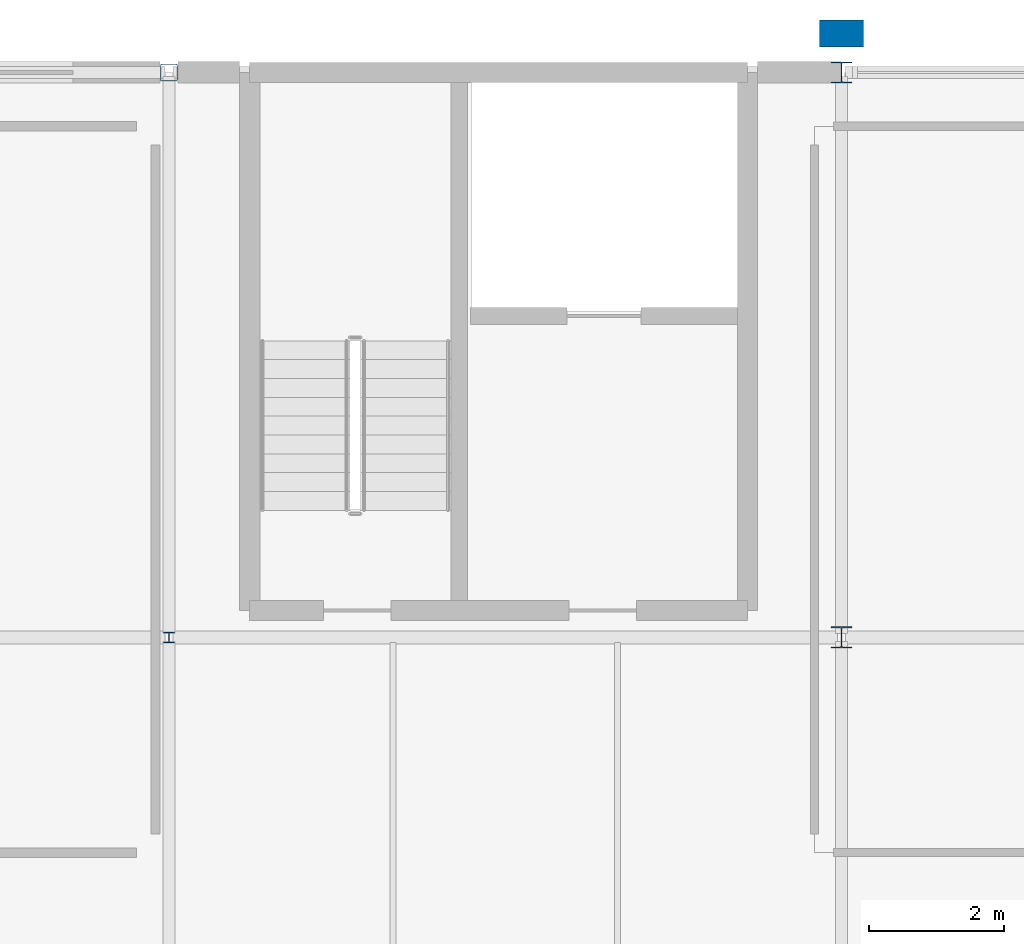
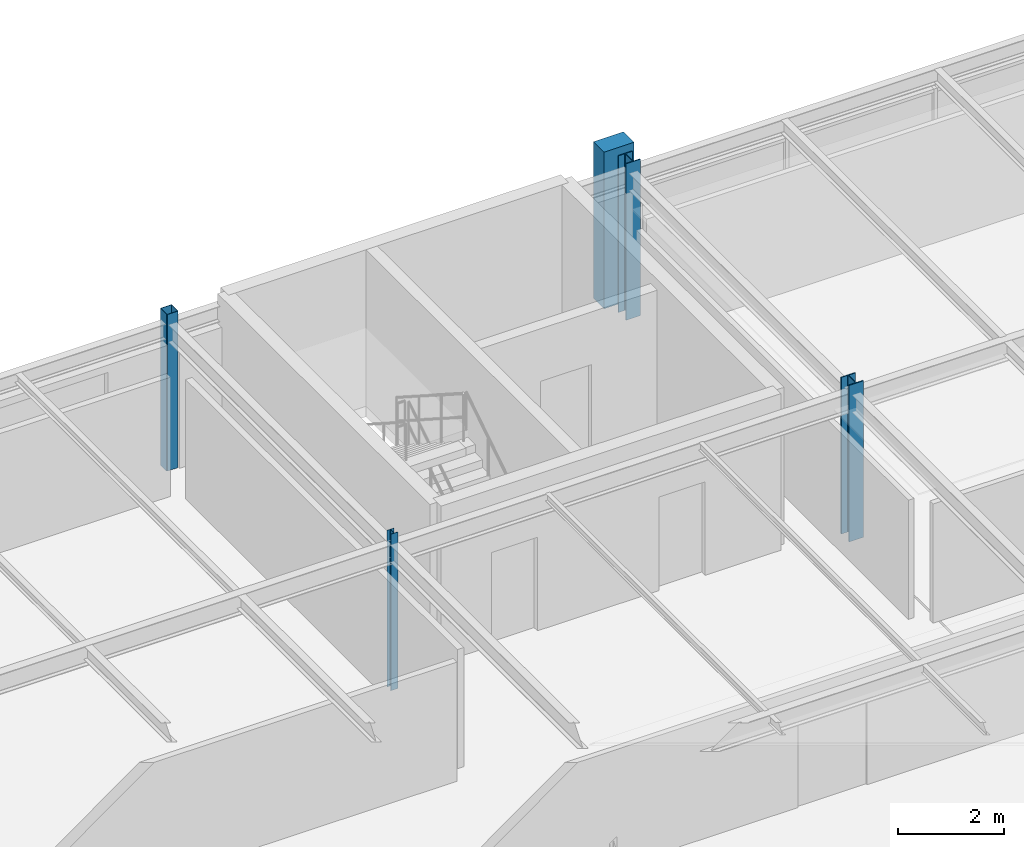
# One storey, part 20 of 109: 5 columns.
"""IFC4 building model written with IfcOpenShell, lengths in metres."""

import ifcopenshell
import ifcopenshell.guid

model = None  # the IFC model being written
_history = None  # IfcOwnerHistory: only IFC2X3 demands one
_inside = {}  # id of a spatial element -> (the spatial element, [elements in it])
_under = {}  # id of a project, library or spatial element -> (it, [spatial elements below it])
_declared = {}  # id of a project -> (the project, [libraries it declares])
_typed = {}  # id of a type object -> (the type object, [elements of that type])
_made_of = {}  # id of a material, layer set ... -> (it, [elements and type objects made of it])


def new_model(schema):
    """Start an empty IFC model of exactly this schema.

    Asked for "IFC4X3", IfcOpenShell would pick the latest addendum, in which some entities
    have other attributes; the version numbers below select the first issue.
    IFC2X3 requires an IfcOwnerHistory on every rooted entity: one is made here for all.
    """
    global model, _history
    if schema == "IFC4X3":
        model = ifcopenshell.file(schema_version=(4, 3, 0, 0))
    else:
        model = ifcopenshell.file(schema=schema)
    _inside.clear()
    _under.clear()
    _declared.clear()
    _typed.clear()
    _made_of.clear()
    _history = None
    if model.schema == "IFC2X3":
        org = make("IfcOrganization", Name="unknown")
        user = make(
            "IfcPersonAndOrganization",
            ThePerson=make("IfcPerson", FamilyName="unknown"),
            TheOrganization=org,
        )
        app = make(
            "IfcApplication",
            ApplicationDeveloper=org,
            Version="unknown",
            ApplicationFullName="unknown",
            ApplicationIdentifier="unknown",
        )
        _history = make(
            "IfcOwnerHistory",
            OwningUser=user,
            OwningApplication=app,
            ChangeAction="ADDED",
            CreationDate=0,
        )
    return model


def make(cls, **values):
    """One entity of the class cls with the attributes given. An attribute that is None is left unset."""
    return model.create_entity(
        cls, **{name: value for name, value in values.items() if value is not None}
    )


def rooted(cls, **values):
    """An entity with a GlobalId (a new one), such as an element, a storey or a relation."""
    return make(cls, GlobalId=ifcopenshell.guid.new(), OwnerHistory=_history, **values)


def si_unit(unit_type, name, prefix=None):
    """IfcSIUnit, for example si_unit("LENGTHUNIT", "METRE", prefix="MILLI")."""
    return make("IfcSIUnit", UnitType=unit_type, Prefix=prefix, Name=name)


def derived_unit(unit_type, elements):
    """IfcDerivedUnit: a product of units, each with its exponent."""
    return make(
        "IfcDerivedUnit",
        Elements=[
            make("IfcDerivedUnitElement", Unit=unit, Exponent=power)
            for unit, power in elements
        ],
        UnitType=unit_type,
    )


def assignment(units):
    """IfcUnitAssignment: the units of a project."""
    return None if units is None else make("IfcUnitAssignment", Units=units)


def point(xyz):
    """IfcCartesianPoint."""
    return None if xyz is None else make("IfcCartesianPoint", Coordinates=xyz)


def direction(xyz):
    """IfcDirection."""
    return None if xyz is None else make("IfcDirection", DirectionRatios=xyz)


def frame(location, z_axis=None, x_axis=None):
    """IfcAxis2Placement3D, a coordinate frame: its origin and axes. An axis left out is left unset."""
    return make(
        "IfcAxis2Placement3D",
        Location=point(location),
        Axis=direction(z_axis),
        RefDirection=direction(x_axis),
    )


def frame_2d(location, x_axis=None):
    """IfcAxis2Placement2D, a coordinate frame in the plane: its origin and x axis."""
    return make(
        "IfcAxis2Placement2D", Location=point(location), RefDirection=direction(x_axis)
    )


def origin():
    """The frame at (0, 0, 0) with its axes left unset."""
    return frame((0.0, 0.0, 0.0))


def origin_2d_with_axis():
    """The frame at (0, 0) in the plane with the x axis (1, 0) written out."""
    return frame_2d((0.0, 0.0), x_axis=(1.0, 0.0))


def place(relative_to, where):
    """IfcLocalPlacement: puts the frame where relative to a parent placement (None: the world)."""
    return make(
        "IfcLocalPlacement", PlacementRelTo=relative_to, RelativePlacement=where
    )


def context(
    kind, dimensions, precision=None, world=None, true_north=None, identifier=None
):
    """IfcGeometricRepresentationContext, for example the 3D "Model" context."""
    return make(
        "IfcGeometricRepresentationContext",
        ContextIdentifier=identifier,
        ContextType=kind,
        CoordinateSpaceDimension=dimensions,
        Precision=precision,
        WorldCoordinateSystem=world,
        TrueNorth=true_north,
    )


def subcontext(parent, identifier, kind, view, scale=None):
    """IfcGeometricRepresentationSubContext, for example "Body" below "Model"."""
    return make(
        "IfcGeometricRepresentationSubContext",
        ContextIdentifier=identifier,
        ContextType=kind,
        ParentContext=parent,
        TargetScale=scale,
        TargetView=view,
    )


def project(units=None, contexts=None):
    """IfcProject with its units and contexts."""
    return rooted(
        "IfcProject",
        Name="project",
        RepresentationContexts=contexts,
        UnitsInContext=assignment(units),
    )


def spatial(cls, under=None, at=None, **own):
    """A site, building, storey or space (cls), placed at a placement, below another one or the project."""
    s = rooted(cls, ObjectPlacement=at, **own)
    if under is not None:
        _under.setdefault(under.id(), (under, []))[1].append(s)
    return s


def profile(cls, at=None, kind="AREA", **sizes):
    """A parametric profile (cls). Its sizes go by their IFC names, for example OverallWidth=200.0."""
    return make(cls, ProfileType=kind, Position=at, **sizes)


def rectangle(**sizes):
    """IfcRectangleProfileDef."""
    return profile("IfcRectangleProfileDef", **sizes)


def hollow_rectangle(**sizes):
    """IfcRectangleHollowProfileDef."""
    return profile("IfcRectangleHollowProfileDef", **sizes)


def i_section(**sizes):
    """IfcIShapeProfileDef."""
    return profile("IfcIShapeProfileDef", **sizes)


def extrude(swept, where, along, depth):
    """IfcExtrudedAreaSolid: the profile swept, set in the frame where, extruded along a direction by depth."""
    return make(
        "IfcExtrudedAreaSolid",
        SweptArea=swept,
        Position=where,
        ExtrudedDirection=direction(along),
        Depth=depth,
    )


def shape(context_of_items, identifier, shape_type, items):
    """IfcShapeRepresentation: the items that make up one representation, for example the "Body"."""
    return make(
        "IfcShapeRepresentation",
        ContextOfItems=context_of_items,
        RepresentationIdentifier=identifier,
        RepresentationType=shape_type,
        Items=items,
    )


def material(Name=None, Category=None):
    """IfcMaterial."""
    return make("IfcMaterial", Name=Name, Category=Category)


def material_profile(
    of_material, cross_section, Name=None, Category=None, Priority=None
):
    """IfcMaterialProfile: a cross section and its material."""
    return make(
        "IfcMaterialProfile",
        Name=Name,
        Material=of_material,
        Profile=cross_section,
        Priority=Priority,
        Category=Category,
    )


def profile_set(profiles, Name=None, composite=None):
    """IfcMaterialProfileSet."""
    return make(
        "IfcMaterialProfileSet",
        Name=Name,
        MaterialProfiles=profiles,
        CompositeProfile=composite,
    )


def made_of(thing, what):
    """Note that an element or type object is made of a material, layer set ...; save() writes the relation."""
    if what is not None:
        _made_of.setdefault(what.id(), (what, []))[1].append(thing)
    return thing


def type_object(cls, material=None, **own):
    """A type object (cls), such as IfcWallType, which elements share."""
    return made_of(rooted(cls, **own), material)


def element(
    cls,
    number,
    at=None,
    inside=None,
    cuts=None,
    type_object=None,
    material=None,
    context=None,
    identifier="Body",
    shape_type=None,
    held_by="IfcProductDefinitionShape",
    body=None,
    shapes=None,
    **own,
):
    """One element of the class cls, such as IfcWall. Its Tag is "e" and its number.

    at: its placement. inside: the storey or other place that contains it. cuts: it is an
    opening in that element (IfcRelVoidsElement). A single representation is given by context,
    identifier, shape_type and body (its items); several are given by shapes. held_by: the class
    of the entity that holds the representations. save() writes the other relations.
    """
    e = rooted(cls, Tag="e%d" % number, ObjectPlacement=at, **own)
    if body is not None:
        shapes = [shape(context, identifier, shape_type, body)]
    if shapes is not None:
        e.Representation = make(held_by, Representations=shapes)
    if inside is not None:
        _inside.setdefault(inside.id(), (inside, []))[1].append(e)
    if cuts is not None:
        rooted(
            "IfcRelVoidsElement", RelatingBuildingElement=cuts, RelatedOpeningElement=e
        )
    if type_object is not None:
        _typed.setdefault(type_object.id(), (type_object, []))[1].append(e)
    return made_of(e, material)


def aggregate(whole, parts):
    """IfcRelAggregates: a whole, such as a stair, and the parts it consists of."""
    return rooted("IfcRelAggregates", RelatingObject=whole, RelatedObjects=parts)


def save(model, path):
    """Write the relations noted so far, then the file.

    IfcRelAggregates (storeys below a building ...), IfcRelContainedInSpatialStructure (elements
    in a storey), IfcRelDefinesByType, IfcRelAssociatesMaterial and IfcRelDeclares: one each for
    every whole, place, type object, material and project.
    """
    for whole, parts in _under.values():
        aggregate(whole, parts)
    for where, things in _inside.values():
        rooted(
            "IfcRelContainedInSpatialStructure",
            RelatedElements=things,
            RelatingStructure=where,
        )
    for kind, things in _typed.values():
        rooted("IfcRelDefinesByType", RelatedObjects=things, RelatingType=kind)
    for what, things in _made_of.values():
        rooted("IfcRelAssociatesMaterial", RelatedObjects=things, RelatingMaterial=what)
    for by, libraries in _declared.values():
        rooted("IfcRelDeclares", RelatingContext=by, RelatedDefinitions=libraries)
    model.write(path)


model = new_model("IFC4")

# Units and contexts
model_context = context("Model", 3, precision=1e-05, world=origin(), true_north=direction((0.0, 1.0)))
body_context = subcontext(model_context, "Body", "Model", "MODEL_VIEW")
ifc_project = project(units=[si_unit("LENGTHUNIT", "METRE"), si_unit("AREAUNIT", "SQUARE_METRE"), si_unit("VOLUMEUNIT", "CUBIC_METRE"), si_unit("PLANEANGLEUNIT", "RADIAN"), si_unit("MASSUNIT", "GRAM", prefix="KILO"), derived_unit("THERMALTRANSMITTANCEUNIT", [(si_unit("POWERUNIT", "WATT"), 1), (si_unit("LENGTHUNIT", "METRE"), -2), (si_unit("THERMODYNAMICTEMPERATUREUNIT", "KELVIN"), -1)])], contexts=[model_context])

# Site, building, storey
site_placement = place(None, origin())
site = spatial("IfcSite", under=ifc_project, at=site_placement, CompositionType="ELEMENT")
building_placement = place(site_placement, origin())
building = spatial("IfcBuilding", under=site, at=building_placement, Name="Cinnabar Yard Market Hall", CompositionType="ELEMENT")
storey_placement = place(building_placement, frame((0.0, 0.0, 8.39990234375)))
storey = spatial("IfcBuildingStorey", under=building, at=storey_placement, Name="L02", CompositionType="ELEMENT", Elevation=8.39990234375)

# Columns
ifc_material_1 = material(Name="Steel Grade 350 (350 MPa)", Category="steel")
ifc_material_profile_1 = material_profile(ifc_material_1, i_section(OverallWidth=0.30908203125, OverallDepth=0.320556640625, WebThickness=0.013916015625, FlangeThickness=0.021728515625, FilletRadius=0.0166015625, at=origin_2d_with_axis()), Name="310UC137")
ifc_profile_set_1 = profile_set([ifc_material_profile_1], Name="Steel Grade 350 (350 MPa)")
column_type_1 = type_object("IfcColumnType", Name="COL-C07", PredefinedType="COLUMN", material=ifc_profile_set_1)
column_1_placement = place(storey_placement, frame((106.0, 129.60009765625, 0.0), z_axis=(0.0, 0.0, 1.0), x_axis=(1.0, 0.0, 0.0)))
element("IfcColumn", 1, at=column_1_placement, inside=storey, type_object=column_type_1, Name="Wing Column V3-05-04 L02", PredefinedType="COLUMN", context=body_context, shape_type="SweptSolid", body=[
    extrude(i_section(OverallWidth=0.30908203125, OverallDepth=0.320556640625, WebThickness=0.013916015625, FlangeThickness=0.021728515625, FilletRadius=0.0166015625, at=origin_2d_with_axis()), origin(), (0.0, 0.0, 1.0), 3.60009765625),
])
ifc_material_2 = material(Name="Steel Grade 300 (300 MPa)", Category="steel")
ifc_material_profile_2 = material_profile(ifc_material_2, i_section(OverallWidth=0.307373046875, OverallDepth=0.314697265625, WebThickness=0.011962890625, FlangeThickness=0.018798828125, FilletRadius=0.0166015625, at=origin_2d_with_axis()), Name="310UC118")
ifc_profile_set_2 = profile_set([ifc_material_profile_2], Name="Steel Grade 300 (300 MPa)")
column_type_2 = type_object("IfcColumnType", Name="COL-C08E", PredefinedType="COLUMN", material=ifc_profile_set_2)
column_2_placement = place(storey_placement, frame((106.0, 138.0, 0.0), z_axis=(0.0, 0.0, 1.0), x_axis=(1.0, 0.0, 0.0)))
element("IfcColumn", 2, at=column_2_placement, inside=storey, type_object=column_type_2, Name="Wing Column V3-05-05 L02", PredefinedType="COLUMN", context=body_context, shape_type="SweptSolid", body=[
    extrude(i_section(OverallWidth=0.307373046875, OverallDepth=0.314697265625, WebThickness=0.011962890625, FlangeThickness=0.018798828125, FilletRadius=0.0166015625, at=origin_2d_with_axis()), origin(), (0.0, 0.0, 1.0), 3.60009765625),
])
ifc_material_profile_3 = material_profile(ifc_material_2, i_section(OverallWidth=0.152099609375, OverallDepth=0.15234375, WebThickness=0.005859375, FlangeThickness=0.0068359375, FilletRadius=0.0087890625, at=origin_2d_with_axis()), Name="150UC23.4")
ifc_profile_set_3 = profile_set([ifc_material_profile_3], Name="Steel Grade 300 (300 MPa)")
column_type_3 = type_object("IfcColumnType", Name="COL-C19", PredefinedType="COLUMN", material=ifc_profile_set_3)
column_3_placement = place(storey_placement, frame((96.0, 129.60009765625, 0.0), z_axis=(0.0, 0.0, 1.0), x_axis=(1.0, 0.0, 0.0)))
element("IfcColumn", 3, at=column_3_placement, inside=storey, type_object=column_type_3, Name="Wing Column V3-04-04 L02", PredefinedType="COLUMN", context=body_context, shape_type="SweptSolid", body=[
    extrude(i_section(OverallWidth=0.152099609375, OverallDepth=0.15234375, WebThickness=0.005859375, FlangeThickness=0.0068359375, FilletRadius=0.0087890625, at=origin_2d_with_axis()), origin(), (0.0, 0.0, 1.0), 3.60009765625),
])
ifc_material_3 = material(Name="Cold-formed steel C350L0", Category="steel")
ifc_material_profile_4 = material_profile(ifc_material_3, hollow_rectangle(XDim=0.25, YDim=0.25, WallThickness=0.009033203125, InnerFilletRadius=0.009033203125, OuterFilletRadius=0.01806640625, at=origin_2d_with_axis()), Name="250x250x9.0SHS")
ifc_profile_set_4 = profile_set([ifc_material_profile_4], Name="Cold-formed steel C350L0")
column_type_4 = type_object("IfcColumnType", Name="COL-C20E", PredefinedType="COLUMN", material=ifc_profile_set_4)
column_4_placement = place(storey_placement, frame((96.0, 138.0, 0.0), z_axis=(0.0, 0.0, 1.0), x_axis=(1.0, 0.0, 0.0)))
element("IfcColumn", 4, at=column_4_placement, inside=storey, type_object=column_type_4, Name="Wing Column V3-04-05 L02", PredefinedType="COLUMN", context=body_context, shape_type="SweptSolid", body=[
    extrude(hollow_rectangle(XDim=0.25, YDim=0.25, WallThickness=0.009033203125, InnerFilletRadius=0.009033203125, OuterFilletRadius=0.01806640625, at=origin_2d_with_axis()), origin(), (0.0, 0.0, 1.0), 3.60009765625),
])
ifc_material_4 = material(Name="Concrete 40 MPa", Category="concrete")
ifc_material_profile_5 = material_profile(ifc_material_4, rectangle(XDim=0.64990234375, YDim=0.39990234375, at=origin_2d_with_axis()), Name="RC-650x400")
ifc_profile_set_5 = profile_set([ifc_material_profile_5], Name="Concrete 40 MPa")
column_type_5 = type_object("IfcColumnType", Name="COL-PIL2E", PredefinedType="PILASTER", material=ifc_profile_set_5)
column_5_placement = place(storey_placement, frame((106.0, 138.580078125, 0.0), z_axis=(0.0, 0.0, 1.0), x_axis=(1.0, 0.0, 0.0)))
element("IfcColumn", 5, at=column_5_placement, inside=storey, type_object=column_type_5, Name="Engaged Pilaster 09 L02", PredefinedType="PILASTER", context=body_context, shape_type="SweptSolid", body=[
    extrude(rectangle(XDim=0.64990234375, YDim=0.39990234375, at=origin_2d_with_axis()), origin(), (0.0, 0.0, 1.0), 3.60009765625),
])

save(model, "model.ifc")
